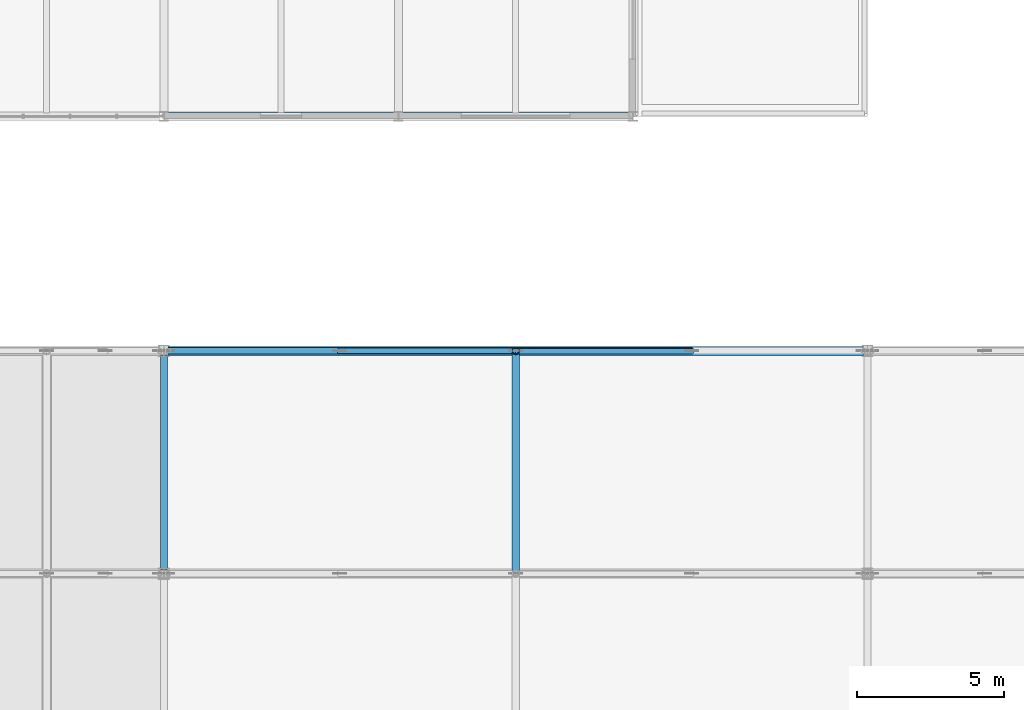
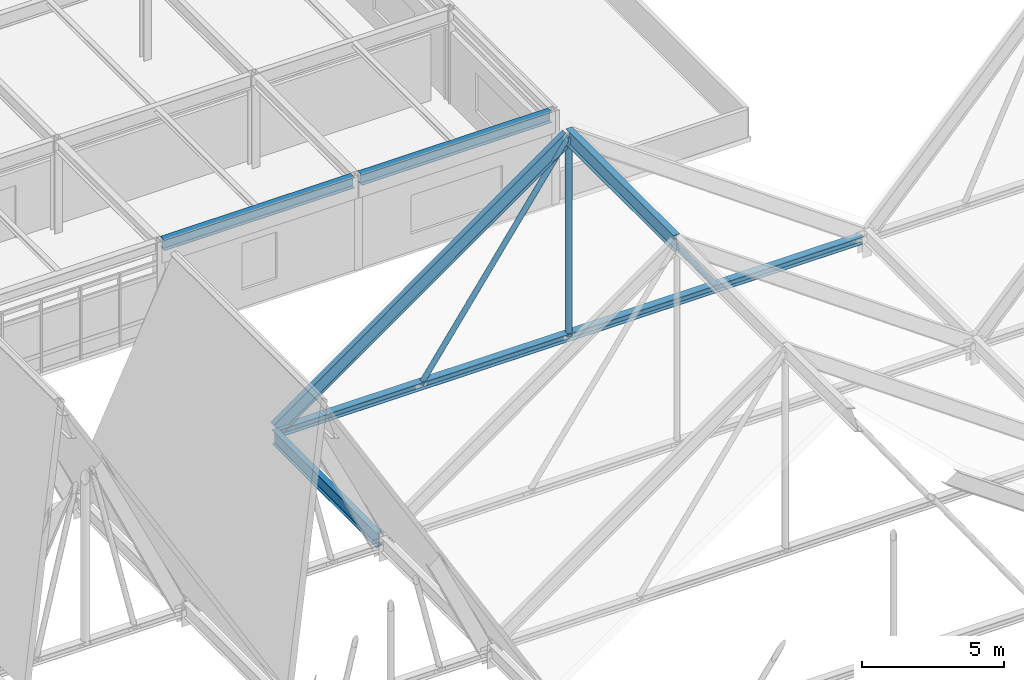
# One storey, part 45 of 85: 5 beams, 4 members.
"""IFC4 building model written with IfcOpenShell, lengths in metres."""

from ifc_helpers import new_model, si_unit, direction, frame, origin, origin_2d, place, context, subcontext, project, spatial, hollow_circle, i_section, extrude, material, material_profile, profile_set, type_object, element, save


model = new_model("IFC4")

# Units and contexts
model_context = context("Model", 3, precision=1e-05, world=origin(), true_north=direction((0.0, 1.0)))
body_context = subcontext(model_context, "Body", "Model", "MODEL_VIEW")
ifc_project = project(units=[si_unit("LENGTHUNIT", "METRE"), si_unit("AREAUNIT", "SQUARE_METRE"), si_unit("VOLUMEUNIT", "CUBIC_METRE"), si_unit("PLANEANGLEUNIT", "RADIAN"), si_unit("MASSUNIT", "GRAM", prefix="KILO")], contexts=[model_context])

# Site, building, storey
site_placement = place(None, origin())
site = spatial("IfcSite", under=ifc_project, at=site_placement, CompositionType="ELEMENT")
building_placement = place(site_placement, origin())
building = spatial("IfcBuilding", under=site, at=building_placement, Name="Zulena Civic Courthouse", CompositionType="ELEMENT")
storey_placement = place(building_placement, frame((0.0, 0.0, 25.199951171875)))
storey = spatial("IfcBuildingStorey", under=building, at=storey_placement, Name="L05", CompositionType="ELEMENT", Elevation=25.199951171875)

# Member
ifc_material_1 = material(Name="Steel ASTM A992 Grade 50", Category="steel")
ifc_material_profile_1 = material_profile(ifc_material_1, i_section(OverallWidth=0.30908203125, OverallDepth=0.322998046875, WebThickness=0.013916015625, FlangeThickness=0.02294921875, FilletRadius=0.01513671875, at=origin_2d()), Name="W12X96")
ifc_profile_set_1 = profile_set([ifc_material_profile_1], Name="Steel ASTM A992 Grade 50")
member_type_1 = type_object("IfcMemberType", Name="Chord_W12X96", PredefinedType="CHORD", material=ifc_profile_set_1)
member_1_placement = place(storey_placement, frame((84.139892578125, 38.0, 0.536376953125), z_axis=(1.0, 0.0, 0.0), x_axis=(0.0, 1.0, 0.0)))
element("IfcMember", 1, at=member_1_placement, inside=storey, type_object=member_type_1, Name="mem:fold:tie:03:38.0", PredefinedType="CHORD", context=body_context, shape_type="SweptSolid", body=[
    extrude(i_section(OverallWidth=0.30908203125, OverallDepth=0.322998046875, WebThickness=0.013916015625, FlangeThickness=0.02294921875, FilletRadius=0.01513671875, at=origin_2d()), origin(), (0.0, 0.0, 1.0), 23.72021484375),
])

# Beams
ifc_material_profile_2 = material_profile(ifc_material_1, i_section(OverallWidth=0.22802734375, OverallDepth=0.60693359375, WebThickness=0.01123046875, FlangeThickness=0.017333984375, FilletRadius=0.0126953125, at=origin_2d()), Name="W24X76")
ifc_profile_set_2 = profile_set([ifc_material_profile_2], Name="Steel ASTM A992 Grade 50")
beam_type_1 = type_object("IfcBeamType", Name="RoofRafter_W24X76", PredefinedType="BEAM", material=ifc_profile_set_2)
beam_1_placement = place(storey_placement, frame((84.0, 30.5400390625, 0.5029296875), z_axis=(0.0, 1.0, 0.0), x_axis=(-1.0, 0.0, 0.0)))
element("IfcBeam", 2, at=beam_1_placement, inside=storey, type_object=beam_type_1, Name="beam:fold:val:L05:84.0:30.4", PredefinedType="BEAM", context=body_context, shape_type="SweptSolid", body=[
    extrude(i_section(OverallWidth=0.22802734375, OverallDepth=0.60693359375, WebThickness=0.01123046875, FlangeThickness=0.017333984375, FilletRadius=0.0126953125, at=origin_2d()), origin(), (0.0, 0.0, 1.0), 7.320068359375),
])
beam_2_placement = place(storey_placement, frame((84.139892578125, 38.0, 0.696533203125), z_axis=(0.815826895682, 0.0, 0.578296183873), x_axis=(0.0, 1.0, 0.0)))
element("IfcBeam", 3, at=beam_2_placement, inside=storey, type_object=beam_type_1, Name="beam:fold:rafW:03:38.0", PredefinedType="BEAM", context=body_context, shape_type="SweptSolid", body=[
    extrude(i_section(OverallWidth=0.22802734375, OverallDepth=0.60693359375, WebThickness=0.01123046875, FlangeThickness=0.017333984375, FilletRadius=0.0126953125, at=origin_2d()), origin(), (0.0, 0.0, 1.0), 14.525146484375),
])
ifc_material_profile_3 = material_profile(ifc_material_1, i_section(OverallWidth=0.25390625, OverallDepth=0.68798828125, WebThickness=0.01318359375, FlangeThickness=0.02099609375, FilletRadius=0.0166015625, at=origin_2d()), Name="W27X102")
ifc_profile_set_3 = profile_set([ifc_material_profile_3], Name="Steel ASTM A992 Grade 50")
beam_type_2 = type_object("IfcBeamType", Name="RoofRafter_W27X102", PredefinedType="BEAM", material=ifc_profile_set_3)
beam_3_placement = place(storey_placement, frame((96.0, 30.419921875, 9.096435546875), z_axis=(0.0, 1.0, 0.0), x_axis=(-1.0, 0.0, 0.0)))
element("IfcBeam", 4, at=beam_3_placement, inside=storey, type_object=beam_type_2, Name="beam:fold:ridge:03:30.4", PredefinedType="BEAM", context=body_context, shape_type="SweptSolid", body=[
    extrude(i_section(OverallWidth=0.25390625, OverallDepth=0.68798828125, WebThickness=0.01318359375, FlangeThickness=0.02099609375, FilletRadius=0.0166015625, at=origin_2d()), origin(), (0.0, 0.0, 1.0), 7.56005859375),
])

# Members
ifc_material_2 = material(Name="Steel ASTM A500 Grade C", Category="steel")
ifc_material_profile_4 = material_profile(ifc_material_2, hollow_circle(Radius=0.126953125, WallThickness=0.01171875, at=origin_2d()), Name="HSS10.000X0.500")
ifc_profile_set_4 = profile_set([ifc_material_profile_4], Name="Steel ASTM A500 Grade C")
member_type_2 = type_object("IfcMemberType", Name="RoofWeb_CHS10", PredefinedType="USERDEFINED", material=ifc_profile_set_4)
member_2_placement = place(storey_placement, frame((96.0, 38.0, 0.536376953125), z_axis=(0.0, 0.0, 1.0), x_axis=(1.0, 0.0, 0.0)))
element("IfcMember", 5, at=member_2_placement, inside=storey, type_object=member_type_2, Name="mem:fold:king:03:38.0", ObjectType="ROOF TRUSS", PredefinedType="USERDEFINED", context=body_context, shape_type="SweptSolid", body=[
    extrude(hollow_circle(Radius=0.126953125, WallThickness=0.01171875, at=origin_2d()), origin(), (0.0, 0.0, 1.0), 8.56005859375),
])
ifc_material_profile_5 = material_profile(ifc_material_2, hollow_circle(Radius=0.109619140625, WallThickness=0.0087890625, at=origin_2d()), Name="HSS8.625X0.375")
ifc_profile_set_5 = profile_set([ifc_material_profile_5], Name="Steel ASTM A500 Grade C")
member_type_3 = type_object("IfcMemberType", Name="RoofWeb_CHS8", PredefinedType="USERDEFINED", material=ifc_profile_set_5)
for number, where, z_axis, x_axis, name in (
    (6, (90.0, 38.0, 0.536376953125), (0.573973222061, 0.0, 0.81887406868), (0.0, 1.0, 0.0), "mem:fold:diagW:03:38.0"),
    (7, (102.0, 38.0, 0.536376953125), (-0.573973222061, 0.0, 0.81887406868), (0.0, -1.0, 0.0), "mem:fold:diagE:03:38.0"),
):
    element("IfcMember", number, at=place(storey_placement, frame(where, z_axis=z_axis, x_axis=x_axis)), inside=storey, type_object=member_type_3, Name=name, ObjectType="ROOF TRUSS", PredefinedType="USERDEFINED", context=body_context, shape_type="SweptSolid", body=[
        extrude(hollow_circle(Radius=0.109619140625, WallThickness=0.0087890625, at=origin_2d()), origin(), (0.0, 0.0, 1.0), 10.453369140625),
    ])

# Beams
ifc_material_profile_6 = material_profile(ifc_material_1, i_section(OverallWidth=0.280029296875, OverallDepth=0.462890625, WebThickness=0.0107421875, FlangeThickness=0.017333984375, FilletRadius=0.01025390625, at=origin_2d()), Name="W18X76")
ifc_profile_set_6 = profile_set([ifc_material_profile_6], Name="Steel ASTM A992 Grade 50")
beam_type_3 = type_object("IfcBeamType", Name="Spandrel_W18X76", PredefinedType="SPANDREL", material=ifc_profile_set_6)
for number, where, z_axis, x_axis, name in (
    (8, (84.14501953125, 46.0, 3.763427734375), (1.0, 0.0, 0.0), (0.0, 1.0, 0.0), "beam:X:V5:L05:46.0:84.0_92.0"),
    (9, (92.14501953125, 46.0, 3.763427734375), (1.0, 0.0, 0.0), (0.0, 1.0, 0.0), "beam:X:V5:L05:46.0:92.0_100.0"),
):
    element("IfcBeam", number, at=place(storey_placement, frame(where, z_axis=z_axis, x_axis=x_axis)), inside=storey, type_object=beam_type_3, Name=name, PredefinedType="SPANDREL", context=body_context, shape_type="SweptSolid", body=[
        extrude(i_section(OverallWidth=0.280029296875, OverallDepth=0.462890625, WebThickness=0.0107421875, FlangeThickness=0.017333984375, FilletRadius=0.01025390625, at=origin_2d()), origin(), (0.0, 0.0, 1.0), 7.7099609375),
    ])

save(model, "model.ifc")
